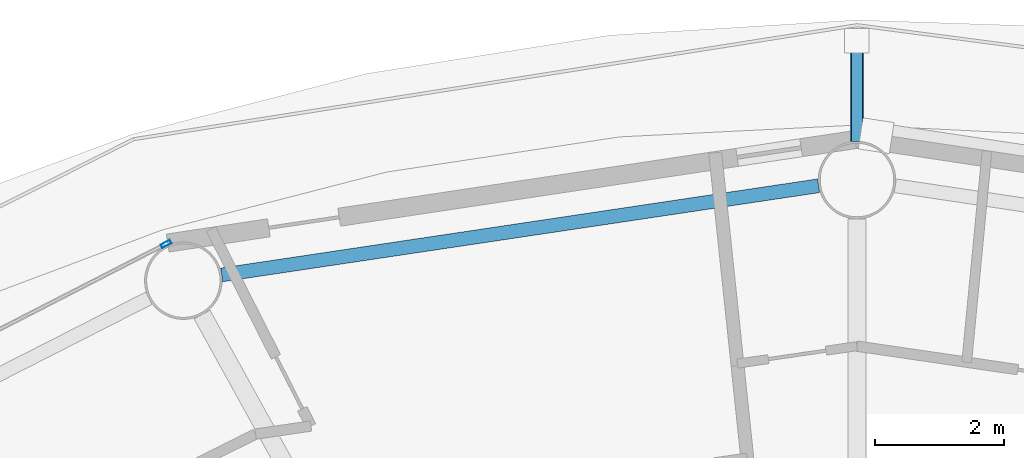
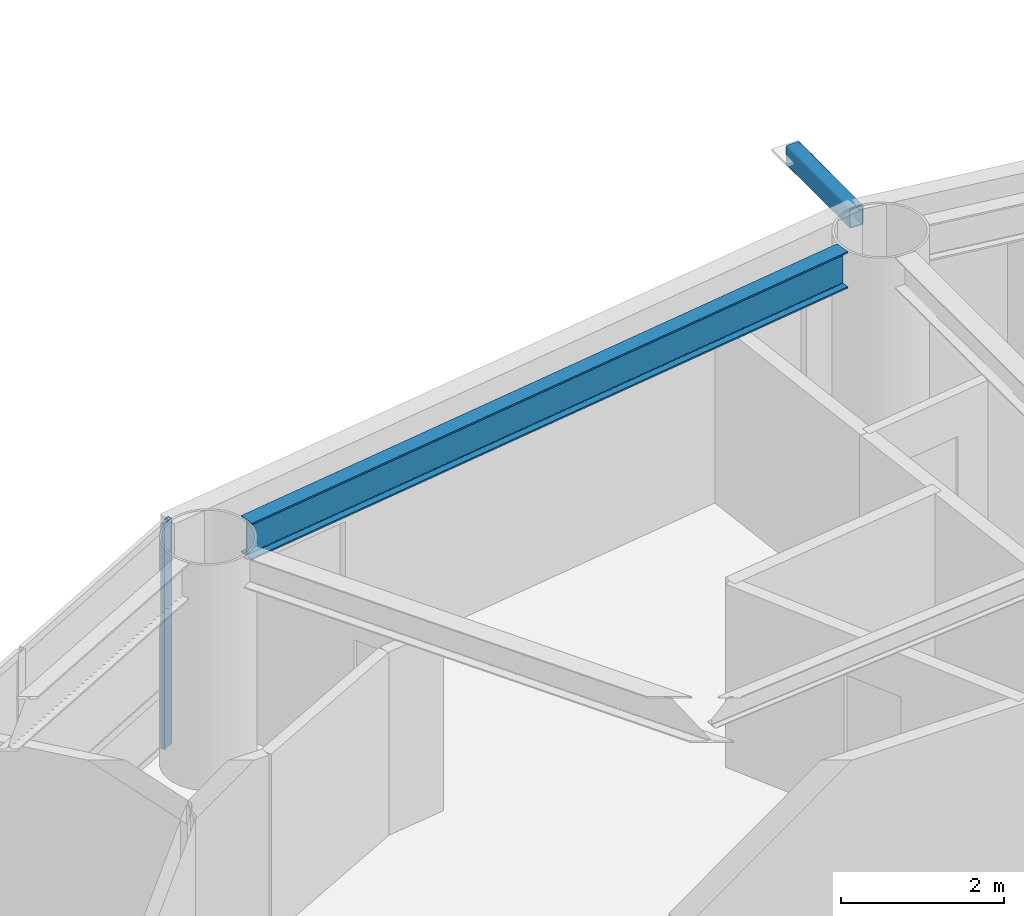
# One storey, part 13 of 28: 2 members, 1 beam, 1 element without a shape of its own.
"""IFC4 building model written with IfcOpenShell, lengths in metres."""

from ifc_helpers import new_model, si_unit, direction, frame, origin, origin_2d, place, context, subcontext, project, spatial, hollow_rectangle, i_section, extrude, material, layer, layer_set, material_profile, profile_set, type_object, element, aggregate, save


model = new_model("IFC4")

# Units and contexts
model_context = context("Model", 3, precision=1e-05, world=origin(), true_north=direction((0.0, 1.0)))
body_context = subcontext(model_context, "Body", "Model", "MODEL_VIEW")
ifc_project = project(units=[si_unit("LENGTHUNIT", "METRE"), si_unit("AREAUNIT", "SQUARE_METRE"), si_unit("VOLUMEUNIT", "CUBIC_METRE"), si_unit("PLANEANGLEUNIT", "RADIAN"), si_unit("MASSUNIT", "GRAM", prefix="KILO")], contexts=[model_context])

# Site, building, storey
site_placement = place(None, origin())
site = spatial("IfcSite", under=ifc_project, at=site_placement, CompositionType="ELEMENT")
building_placement = place(site_placement, origin())
building = spatial("IfcBuilding", under=site, at=building_placement, Name="Sarneth Arch Tower", CompositionType="ELEMENT")
storey_placement = place(building_placement, frame((0.0, 0.0, 179.39990234375)))
storey = spatial("IfcBuildingStorey", under=building, at=storey_placement, Name="L45", CompositionType="ELEMENT", Elevation=179.39990234375)

# Beam
ifc_material_1 = material(Name="Steel S355", Category="steel")
ifc_material_profile_1 = material_profile(ifc_material_1, i_section(OverallWidth=0.214111328125, OverallDepth=0.549072265625, WebThickness=0.0146484375, FlangeThickness=0.023681640625, FilletRadius=0.01806640625, at=origin_2d()), Name="W530x138")
ifc_profile_set_1 = profile_set([ifc_material_profile_1], Name="Steel S355")
beam_type = type_object("IfcBeamType", Name="BM-RAD-530A", PredefinedType="BEAM", material=ifc_profile_set_1)
beam_placement = place(storey_placement, frame((47.406494140625, 62.361328125, 3.105712890625), z_axis=(-0.98902783755, -0.147729267756, 0.0), x_axis=(0.147729267756, -0.98902783755, 0.0)))
element("IfcBeam", 1, at=beam_placement, inside=storey, type_object=beam_type, Name="L45 Perimeter spandrel beam 05", PredefinedType="BEAM", context=body_context, shape_type="SweptSolid", body=[
    extrude(i_section(OverallWidth=0.214111328125, OverallDepth=0.549072265625, WebThickness=0.0146484375, FlangeThickness=0.023681640625, FilletRadius=0.01806640625, at=origin_2d()), origin(), (0.0, 0.0, 1.0), 9.33740234375),
])

# Curtain wall, member
ifc_material_2 = material(Name="Anodised aluminium Type AA25 and solar-control low-e laminated IGU", Category="aluminium")
ifc_layer = layer(ifc_material_2, 0.169921875)
ifc_layer_set = layer_set([ifc_layer], Name="Anodised aluminium Type AA25 and solar-control low-e laminated IGU")
curtain_wall_type = type_object("IfcCurtainWallType", Name="CW-RES-MID", PredefinedType="NOTDEFINED", material=ifc_layer_set)
curtain_wall_placement = place(storey_placement, origin())
curtain_wall = element("IfcCurtainWall", 2, at=curtain_wall_placement, inside=storey, type_object=curtain_wall_type, Name="L45 Unitised curtain wall facet 06", PredefinedType="NOTDEFINED")
ifc_material_3 = material(Name="Anodised Aluminium 6063-T6", Category="aluminium")
ifc_material_profile_2 = material_profile(ifc_material_3, hollow_rectangle(XDim=0.06005859375, YDim=0.159912109375, WallThickness=0.00390625, at=origin_2d()), Name="AL-MULL-160x60x4")
ifc_profile_set_2 = profile_set([ifc_material_profile_2], Name="Anodised Aluminium 6063-T6")
member_type_1 = type_object("IfcMemberType", Name="CW-MULLION", PredefinedType="MULLION", material=ifc_profile_set_2)
member_1_placement = place(storey_placement, frame((37.310546875, 61.461669921875, 0.0), z_axis=(0.0, 0.0, 1.0), x_axis=(0.456208470329, -0.88987293003, 0.0)))
member_1 = element("IfcMember", 3, at=member_1_placement, type_object=member_type_1, Name="CW-SYS-5 mullion 1", PredefinedType="MULLION", context=body_context, shape_type="SweptSolid", body=[
    extrude(hollow_rectangle(XDim=0.06005859375, YDim=0.159912109375, WallThickness=0.00390625, at=origin_2d()), origin(), (0.0, 0.0, 1.0), 3.380126953125),
])
aggregate(curtain_wall, [member_1])

# Member
ifc_material_4 = material(Name="Steel S355", Category="steel")
ifc_material_profile_3 = material_profile(ifc_material_4, hollow_rectangle(XDim=0.199951171875, YDim=0.300048828125, WallThickness=0.012451171875, InnerFilletRadius=0.018798828125, OuterFilletRadius=0.03125, at=origin_2d()), Name="RHS300x200x12.5")
ifc_profile_set_3 = profile_set([ifc_material_profile_3], Name="Steel S355")
member_type_2 = type_object("IfcMemberType", Name="MEM-CANT-STRUT", PredefinedType="STRUT", material=ifc_profile_set_3)
member_2_placement = place(storey_placement, frame((48.0, 63.050048828125, 3.22021484375), z_axis=(0.0, 1.0, 0.0), x_axis=(-1.0, 0.0, 0.0)))
element("IfcMember", 4, at=member_2_placement, inside=storey, type_object=member_type_2, Name="L45 Balcony cantilever bracket 05", PredefinedType="STRUT", context=body_context, shape_type="SweptSolid", body=[
    extrude(hollow_rectangle(XDim=0.199951171875, YDim=0.300048828125, WallThickness=0.012451171875, InnerFilletRadius=0.018798828125, OuterFilletRadius=0.03125, at=origin_2d()), origin(), (0.0, 0.0, 1.0), 1.558349609375),
])

save(model, "model.ifc")
